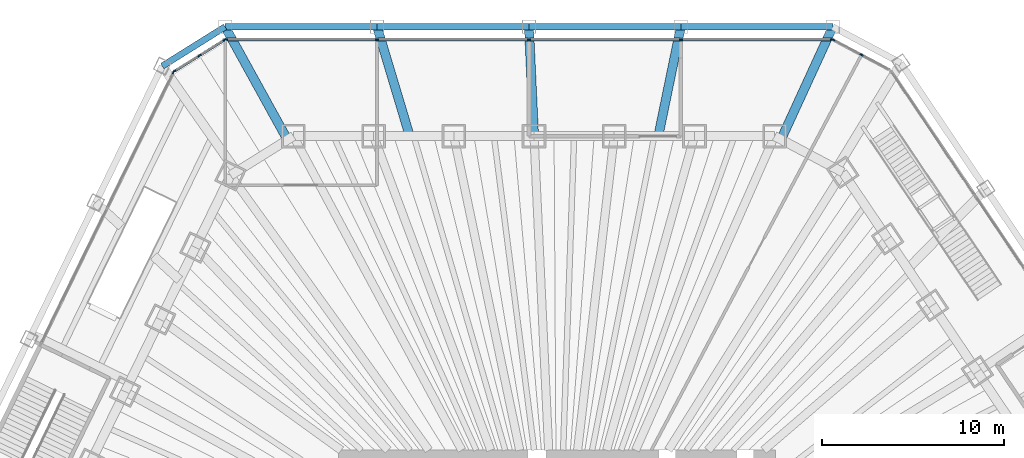
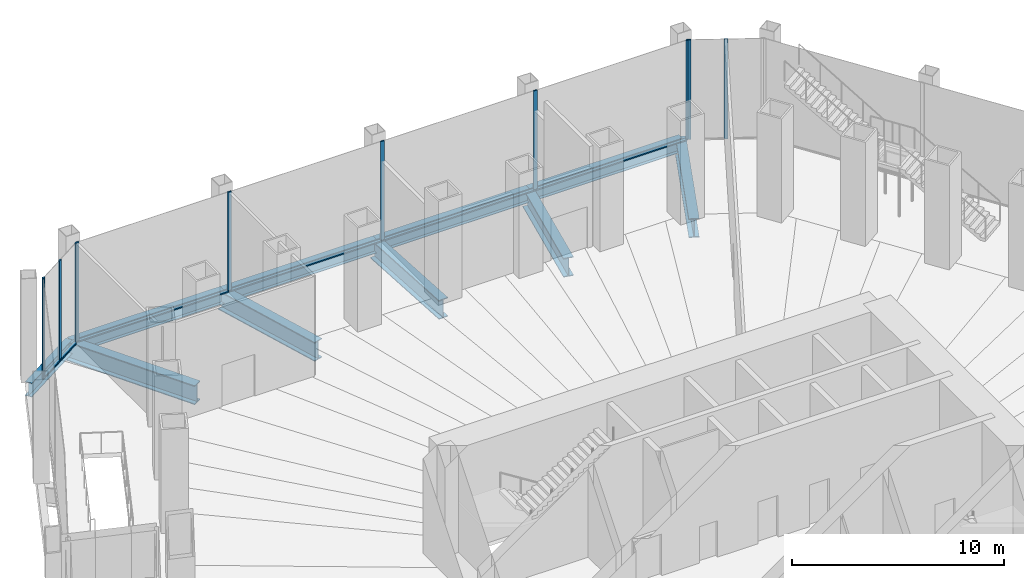
# One storey, part 14 of 23: 17 members, 10 beams, 4 elements without a shape of their own.
"""IFC4 building model written with IfcOpenShell, lengths in metres."""

from ifc_helpers import new_model, si_unit, direction, frame, origin, origin_2d, place, context, subcontext, project, spatial, rectangle, i_section, extrude, material, material_profile, profile_set, type_object, element, aggregate, save


model = new_model("IFC4")

# Units and contexts
model_context = context("Model", 3, precision=1e-05, world=origin(), true_north=direction((0.0, 1.0)))
body_context = subcontext(model_context, "Body", "Model", "MODEL_VIEW")
ifc_project = project(units=[si_unit("LENGTHUNIT", "METRE"), si_unit("AREAUNIT", "SQUARE_METRE"), si_unit("VOLUMEUNIT", "CUBIC_METRE"), si_unit("PLANEANGLEUNIT", "RADIAN"), si_unit("MASSUNIT", "GRAM", prefix="KILO")], contexts=[model_context])

# Site, building, storey
site_placement = place(None, origin())
site = spatial("IfcSite", under=ifc_project, at=site_placement, CompositionType="ELEMENT")
building_placement = place(site_placement, origin())
building = spatial("IfcBuilding", under=site, at=building_placement, Name="Qingtian Harvest Tower", CompositionType="ELEMENT")
storey_placement = place(building_placement, frame((0.0, 0.0, 6.0)))
storey = spatial("IfcBuildingStorey", under=building, at=storey_placement, Name="L01", CompositionType="ELEMENT", Elevation=6.0)

# Beams
ifc_material_1 = material(Name="Steel SM570MC", Category="steel")
ifc_material_profile_1 = material_profile(ifc_material_1, i_section(OverallWidth=0.5, OverallDepth=1.10009765625, WebThickness=0.02490234375, FlangeThickness=0.050048828125, at=origin_2d()), Name="H1100x500x25x50")
ifc_profile_set_1 = profile_set([ifc_material_profile_1], Name="Steel SM570MC")
beam_type_1 = type_object("IfcBeamType", Name="Floor beam FB6 H1100x500x25x50", PredefinedType="BEAM", material=ifc_profile_set_1)
beam_1_placement = place(storey_placement, frame((-18.220703125, 33.0, -0.800048828125), z_axis=(0.483365161377, -0.875418825915, 0.0), x_axis=(0.875418825915, 0.483365161377, 0.0)))
element("IfcBeam", 1, at=beam_1_placement, inside=storey, type_object=beam_type_1, Name="Podium floor beam FB6 N0", PredefinedType="BEAM", context=body_context, shape_type="SweptSolid", body=[
    extrude(i_section(OverallWidth=0.5, OverallDepth=1.10009765625, WebThickness=0.02490234375, FlangeThickness=0.050048828125, at=origin_2d()), origin(), (0.0, 0.0, 1.0), 7.08544921875),
])
beam_2_placement = place(storey_placement, frame((-9.87890625, 33.0, -0.800048828125), z_axis=(0.286782790718, -0.957995632009, 0.0), x_axis=(0.957995632009, 0.286782790718, 0.0)))
element("IfcBeam", 2, at=beam_2_placement, inside=storey, type_object=beam_type_1, Name="Podium floor beam FB6 N1", PredefinedType="BEAM", context=body_context, shape_type="SweptSolid", body=[
    extrude(i_section(OverallWidth=0.5, OverallDepth=1.10009765625, WebThickness=0.02490234375, FlangeThickness=0.050048828125, at=origin_2d()), origin(), (0.0, 0.0, 1.0), 6.26318359375),
])
beam_3_placement = place(storey_placement, frame((-1.537109375, 33.0, -0.800048828125), z_axis=(0.046539686109, -0.998916441759, 0.0), x_axis=(0.998916441759, 0.046539686109, 0.0)))
element("IfcBeam", 3, at=beam_3_placement, inside=storey, type_object=beam_type_1, Name="Podium floor beam FB6 N2", PredefinedType="BEAM", context=body_context, shape_type="SweptSolid", body=[
    extrude(i_section(OverallWidth=0.5, OverallDepth=1.10009765625, WebThickness=0.02490234375, FlangeThickness=0.050048828125, at=origin_2d()), origin(), (0.0, 0.0, 1.0), 6.006591796875),
])
beam_4_placement = place(storey_placement, frame((6.8046875, 33.0, -0.800048828125), z_axis=(-0.201967754187, -0.979392171844, 0.0), x_axis=(0.979392171844, -0.201967754187, 0.0)))
element("IfcBeam", 4, at=beam_4_placement, inside=storey, type_object=beam_type_1, Name="Podium floor beam FB6 N3", PredefinedType="BEAM", context=body_context, shape_type="SweptSolid", body=[
    extrude(i_section(OverallWidth=0.5, OverallDepth=1.10009765625, WebThickness=0.02490234375, FlangeThickness=0.050048828125, at=origin_2d()), origin(), (0.0, 0.0, 1.0), 6.126220703125),
])
beam_5_placement = place(storey_placement, frame((15.146484375, 33.0, -0.800048828125), z_axis=(-0.417153576737, -0.908836010189, 0.0), x_axis=(0.908836010189, -0.417153576737, 0.0)))
element("IfcBeam", 5, at=beam_5_placement, inside=storey, type_object=beam_type_1, Name="Podium floor beam FB6 N4", PredefinedType="BEAM", context=body_context, shape_type="SweptSolid", body=[
    extrude(i_section(OverallWidth=0.5, OverallDepth=1.10009765625, WebThickness=0.02490234375, FlangeThickness=0.050048828125, at=origin_2d()), origin(), (0.0, 0.0, 1.0), 6.80712890625),
])

# Curtain wall, members
ifc_material_2 = material(Name="Bronze-anodised aluminium curtain wall", Category="aluminium")
curtain_wall_type = type_object("IfcCurtainWallType", Name="Curtain wall CW1 podium shopfront", PredefinedType="USERDEFINED", material=ifc_material_2)
curtain_wall_1_placement = place(storey_placement, origin())
curtain_wall_1 = element("IfcCurtainWall", 6, at=curtain_wall_1_placement, inside=storey, type_object=curtain_wall_type, Name="Curtain wall CW1 L01 N0-3", ObjectType="RECESSED CURTAIN WALL", PredefinedType="USERDEFINED")
ifc_material_3 = material(Name="Bronze-anodised aluminium mullion", Category="aluminium")
ifc_material_profile_2 = material_profile(ifc_material_3, rectangle(XDim=0.06494140625, YDim=0.199951171875, at=origin_2d()), Name="AL 65x200")
ifc_profile_set_2 = profile_set([ifc_material_profile_2], Name="Bronze-anodised aluminium mullion")
member_type_1 = type_object("IfcMemberType", Name="Mullion CWM 65x200", PredefinedType="MULLION", material=ifc_profile_set_2)
member_1_placement = place(storey_placement, frame((-18.188232421875, 32.300048828125, 0.0), z_axis=(0.0, 0.0, 1.0), x_axis=(0.0, 1.0, 0.0)))
member_1 = element("IfcMember", 7, at=member_1_placement, type_object=member_type_1, Name="CW1 mullion 1", PredefinedType="MULLION", context=body_context, shape_type="SweptSolid", body=[
    extrude(rectangle(XDim=0.06494140625, YDim=0.199951171875, at=origin_2d()), origin(), (0.0, 0.0, 1.0), 5.75),
])
member_2_placement = place(storey_placement, frame((-9.87890625, 32.300048828125, 0.0), z_axis=(0.0, 0.0, 1.0), x_axis=(0.0, 1.0, 0.0)))
member_2 = element("IfcMember", 8, at=member_2_placement, type_object=member_type_1, Name="CW1 mullion 2", PredefinedType="MULLION", context=body_context, shape_type="SweptSolid", body=[
    extrude(rectangle(XDim=0.06494140625, YDim=0.199951171875, at=origin_2d()), origin(), (0.0, 0.0, 1.0), 5.75),
])
member_3_placement = place(storey_placement, frame((-1.537109375, 32.300048828125, 0.0), z_axis=(0.0, 0.0, 1.0), x_axis=(0.0, 1.0, 0.0)))
member_3 = element("IfcMember", 9, at=member_3_placement, type_object=member_type_1, Name="CW1 mullion 3", PredefinedType="MULLION", context=body_context, shape_type="SweptSolid", body=[
    extrude(rectangle(XDim=0.06494140625, YDim=0.199951171875, at=origin_2d()), origin(), (0.0, 0.0, 1.0), 5.75),
])
member_4_placement = place(storey_placement, frame((6.8046875, 32.300048828125, 0.0), z_axis=(0.0, 0.0, 1.0), x_axis=(0.0, 1.0, 0.0)))
member_4 = element("IfcMember", 10, at=member_4_placement, type_object=member_type_1, Name="CW1 mullion 4", PredefinedType="MULLION", context=body_context, shape_type="SweptSolid", body=[
    extrude(rectangle(XDim=0.06494140625, YDim=0.199951171875, at=origin_2d()), origin(), (0.0, 0.0, 1.0), 5.75),
])
member_5_placement = place(storey_placement, frame((15.114013671875, 32.300048828125, 0.0), z_axis=(0.0, 0.0, 1.0), x_axis=(0.0, 1.0, 0.0)))
member_5 = element("IfcMember", 11, at=member_5_placement, type_object=member_type_1, Name="CW1 mullion 5", PredefinedType="MULLION", context=body_context, shape_type="SweptSolid", body=[
    extrude(rectangle(XDim=0.06494140625, YDim=0.199951171875, at=origin_2d()), origin(), (0.0, 0.0, 1.0), 5.75),
])

curtain_wall_2_placement = place(storey_placement, origin())
curtain_wall_2 = element("IfcCurtainWall", 12, at=curtain_wall_2_placement, inside=storey, type_object=curtain_wall_type, Name="Curtain wall CW1 L01 NC", ObjectType="RECESSED CURTAIN WALL", PredefinedType="USERDEFINED")
member_6_placement = place(storey_placement, frame((15.175048828125, 32.28466796875, 0.0), z_axis=(0.0, 0.0, 1.0), x_axis=(0.469471562786, 0.882947592859, 0.0)))
member_6 = element("IfcMember", 13, at=member_6_placement, type_object=member_type_1, Name="CW1 mullion 1", PredefinedType="MULLION", context=body_context, shape_type="SweptSolid", body=[
    extrude(rectangle(XDim=0.06494140625, YDim=0.199951171875, at=origin_2d()), origin(), (0.0, 0.0, 1.0), 5.75),
])
member_7_placement = place(storey_placement, frame((16.727294921875, 31.45947265625, 0.0), z_axis=(0.0, 0.0, 1.0), x_axis=(0.469471562786, 0.882947592859, 0.0)))
member_7 = element("IfcMember", 14, at=member_7_placement, type_object=member_type_1, Name="CW1 mullion 2", PredefinedType="MULLION", context=body_context, shape_type="SweptSolid", body=[
    extrude(rectangle(XDim=0.06494140625, YDim=0.199951171875, at=origin_2d()), origin(), (0.0, 0.0, 1.0), 5.75),
])
aggregate(curtain_wall_2, [member_6, member_7])

# Curtain wall, member
curtain_wall_3_placement = place(storey_placement, origin())
curtain_wall_3 = element("IfcCurtainWall", 15, at=curtain_wall_3_placement, inside=storey, type_object=curtain_wall_type, Name="Curtain wall CW1 L01 NW2-3", ObjectType="RECESSED CURTAIN WALL", PredefinedType="USERDEFINED")
member_8_placement = place(storey_placement, frame((-21.057861328125, 30.5068359375, 0.0), z_axis=(0.0, 0.0, 1.0), x_axis=(-0.898794046299, 0.438371146789, 0.0)))
member_8 = element("IfcMember", 16, at=member_8_placement, type_object=member_type_1, Name="CW1 mullion 3", PredefinedType="MULLION", context=body_context, shape_type="SweptSolid", body=[
    extrude(rectangle(XDim=0.06494140625, YDim=0.199951171875, at=origin_2d()), origin(), (0.0, 0.0, 1.0), 5.75),
])
aggregate(curtain_wall_3, [member_8])

# Curtain wall, members
curtain_wall_4_placement = place(storey_placement, origin())
curtain_wall_4 = element("IfcCurtainWall", 17, at=curtain_wall_4_placement, inside=storey, type_object=curtain_wall_type, Name="Curtain wall CW1 L01 NWC", ObjectType="RECESSED CURTAIN WALL", PredefinedType="USERDEFINED")
member_9_placement = place(storey_placement, frame((-21.01611328125, 30.55322265625, 0.0), z_axis=(0.0, 0.0, 1.0), x_axis=(-0.529919264233, 0.848048096156, 0.0)))
member_9 = element("IfcMember", 18, at=member_9_placement, type_object=member_type_1, Name="CW1 mullion 1", PredefinedType="MULLION", context=body_context, shape_type="SweptSolid", body=[
    extrude(rectangle(XDim=0.06494140625, YDim=0.199951171875, at=origin_2d()), origin(), (0.0, 0.0, 1.0), 5.75),
])
member_10_placement = place(storey_placement, frame((-19.632080078125, 31.41796875, 0.0), z_axis=(0.0, 0.0, 1.0), x_axis=(-0.529919264233, 0.848048096156, 0.0)))
member_10 = element("IfcMember", 19, at=member_10_placement, type_object=member_type_1, Name="CW1 mullion 2", PredefinedType="MULLION", context=body_context, shape_type="SweptSolid", body=[
    extrude(rectangle(XDim=0.06494140625, YDim=0.199951171875, at=origin_2d()), origin(), (0.0, 0.0, 1.0), 5.75),
])
member_11_placement = place(storey_placement, frame((-18.248291015625, 32.28271484375, 0.0), z_axis=(0.0, 0.0, 1.0), x_axis=(-0.529919264233, 0.848048096156, 0.0)))
member_11 = element("IfcMember", 20, at=member_11_placement, type_object=member_type_1, Name="CW1 mullion 3", PredefinedType="MULLION", context=body_context, shape_type="SweptSolid", body=[
    extrude(rectangle(XDim=0.06494140625, YDim=0.199951171875, at=origin_2d()), origin(), (0.0, 0.0, 1.0), 5.75),
])

# Beams
ifc_material_4 = material(Name="Steel SN490B", Category="steel")
ifc_material_profile_3 = material_profile(ifc_material_4, i_section(OverallWidth=0.35009765625, OverallDepth=0.800048828125, WebThickness=0.01611328125, FlangeThickness=0.028076171875, at=origin_2d()), Name="H800x350x16x28")
ifc_profile_set_3 = profile_set([ifc_material_profile_3], Name="Steel SN490B")
beam_type_2 = type_object("IfcBeamType", Name="Podium beam PB1 H800x350x16x28", PredefinedType="BEAM", material=ifc_profile_set_3)
for number, where, z_axis, x_axis, name in (
    (21, (-18.220703125, 33.0, -0.64990234375), (1.0, 0.0, 0.0), (0.0, 1.0, 0.0), "Podium edge beam PB1 N0"),
    (22, (-9.87890625, 33.0, -0.64990234375), (1.0, 0.0, 0.0), (0.0, 1.0, 0.0), "Podium edge beam PB1 N1"),
    (23, (-1.537109375, 33.0, -0.64990234375), (1.0, 0.0, 0.0), (0.0, 1.0, 0.0), "Podium edge beam PB1 N2"),
    (24, (6.8046875, 33.0, -0.64990234375), (1.0, 0.0, 0.0), (0.0, 1.0, 0.0), "Podium edge beam PB1 N3"),
):
    element("IfcBeam", number, at=place(storey_placement, frame(where, z_axis=z_axis, x_axis=x_axis)), inside=storey, type_object=beam_type_2, Name=name, PredefinedType="BEAM", context=body_context, shape_type="SweptSolid", body=[
        extrude(i_section(OverallWidth=0.35009765625, OverallDepth=0.800048828125, WebThickness=0.01611328125, FlangeThickness=0.028076171875, at=origin_2d()), origin(), (0.0, 0.0, 1.0), 8.341796875),
    ])
beam_6_placement = place(storey_placement, frame((-21.6728515625, 30.8427734375, -0.64990234375), z_axis=(0.848038733752, 0.529934246919, 0.0), x_axis=(-0.529934246919, 0.848038733752, 0.0)))
element("IfcBeam", 25, at=beam_6_placement, inside=storey, type_object=beam_type_2, Name="Podium edge beam PB1 NW4", PredefinedType="BEAM", context=body_context, shape_type="SweptSolid", body=[
    extrude(i_section(OverallWidth=0.35009765625, OverallDepth=0.800048828125, WebThickness=0.01611328125, FlangeThickness=0.028076171875, at=origin_2d()), origin(), (0.0, 0.0, 1.0), 4.07080078125),
])

# Member
ifc_material_5 = material(Name="Bronze-anodised aluminium transom", Category="aluminium")
ifc_material_profile_4 = material_profile(ifc_material_5, rectangle(XDim=0.14990234375, YDim=0.06494140625, at=origin_2d()), Name="AL 65x150")
ifc_profile_set_4 = profile_set([ifc_material_profile_4], Name="Bronze-anodised aluminium transom")
member_type_2 = type_object("IfcMemberType", Name="Transom CWT 65x150", PredefinedType="USERDEFINED", material=ifc_profile_set_4)
member_12_placement = place(storey_placement, frame((-18.15576171875, 32.300048828125, 0.032470703125), z_axis=(1.0, 0.0, 0.0), x_axis=(0.0, 1.0, 0.0)))
member_12 = element("IfcMember", 26, at=member_12_placement, type_object=member_type_2, Name="CW1 transom 1.1", ObjectType="TRANSOM", PredefinedType="USERDEFINED", context=body_context, shape_type="SweptSolid", body=[
    extrude(rectangle(XDim=0.14990234375, YDim=0.06494140625, at=origin_2d()), origin(), (0.0, 0.0, 1.0), 8.244384765625),
])

member_13_placement = place(storey_placement, frame((-9.846435546875, 32.300048828125, 0.032470703125), z_axis=(1.0, 0.0, 0.0), x_axis=(0.0, 1.0, 0.0)))
member_13 = element("IfcMember", 27, at=member_13_placement, type_object=member_type_2, Name="CW1 transom 2.1", ObjectType="TRANSOM", PredefinedType="USERDEFINED", context=body_context, shape_type="SweptSolid", body=[
    extrude(rectangle(XDim=0.14990234375, YDim=0.06494140625, at=origin_2d()), origin(), (0.0, 0.0, 1.0), 8.27685546875),
])

member_14_placement = place(storey_placement, frame((-1.504638671875, 32.300048828125, 0.032470703125), z_axis=(1.0, 0.0, 0.0), x_axis=(0.0, 1.0, 0.0)))
member_14 = element("IfcMember", 28, at=member_14_placement, type_object=member_type_2, Name="CW1 transom 3.1", ObjectType="TRANSOM", PredefinedType="USERDEFINED", context=body_context, shape_type="SweptSolid", body=[
    extrude(rectangle(XDim=0.14990234375, YDim=0.06494140625, at=origin_2d()), origin(), (0.0, 0.0, 1.0), 8.27685546875),
])

member_15_placement = place(storey_placement, frame((6.837158203125, 32.300048828125, 0.032470703125), z_axis=(1.0, 0.0, 0.0), x_axis=(0.0, 1.0, 0.0)))
member_15 = element("IfcMember", 29, at=member_15_placement, type_object=member_type_2, Name="CW1 transom 4.1", ObjectType="TRANSOM", PredefinedType="USERDEFINED", context=body_context, shape_type="SweptSolid", body=[
    extrude(rectangle(XDim=0.14990234375, YDim=0.06494140625, at=origin_2d()), origin(), (0.0, 0.0, 1.0), 8.244140625),
])

aggregate(curtain_wall_1, [member_1, member_2, member_3, member_4, member_5, member_12, member_13, member_14, member_15])

member_16_placement = place(storey_placement, frame((-20.988525390625, 30.570556640625, 0.032470703125), z_axis=(0.848059570903, 0.529900900357, 0.0), x_axis=(-0.529900900357, 0.848059570903, 0.0)))
member_16 = element("IfcMember", 30, at=member_16_placement, type_object=member_type_2, Name="CW1 transom 1.1", ObjectType="TRANSOM", PredefinedType="USERDEFINED", context=body_context, shape_type="SweptSolid", body=[
    extrude(rectangle(XDim=0.14990234375, YDim=0.06494140625, at=origin_2d()), origin(), (0.0, 0.0, 1.0), 1.56689453125),
])

member_17_placement = place(storey_placement, frame((-19.6044921875, 31.435302734375, 0.032470703125), z_axis=(0.848015812303, 0.529970925697, 0.0), x_axis=(-0.529970925697, 0.848015812303, 0.0)))
member_17 = element("IfcMember", 31, at=member_17_placement, type_object=member_type_2, Name="CW1 transom 2.1", ObjectType="TRANSOM", PredefinedType="USERDEFINED", context=body_context, shape_type="SweptSolid", body=[
    extrude(rectangle(XDim=0.14990234375, YDim=0.06494140625, at=origin_2d()), origin(), (0.0, 0.0, 1.0), 1.566650390625),
])

aggregate(curtain_wall_4, [member_9, member_10, member_11, member_16, member_17])

save(model, "model.ifc")
